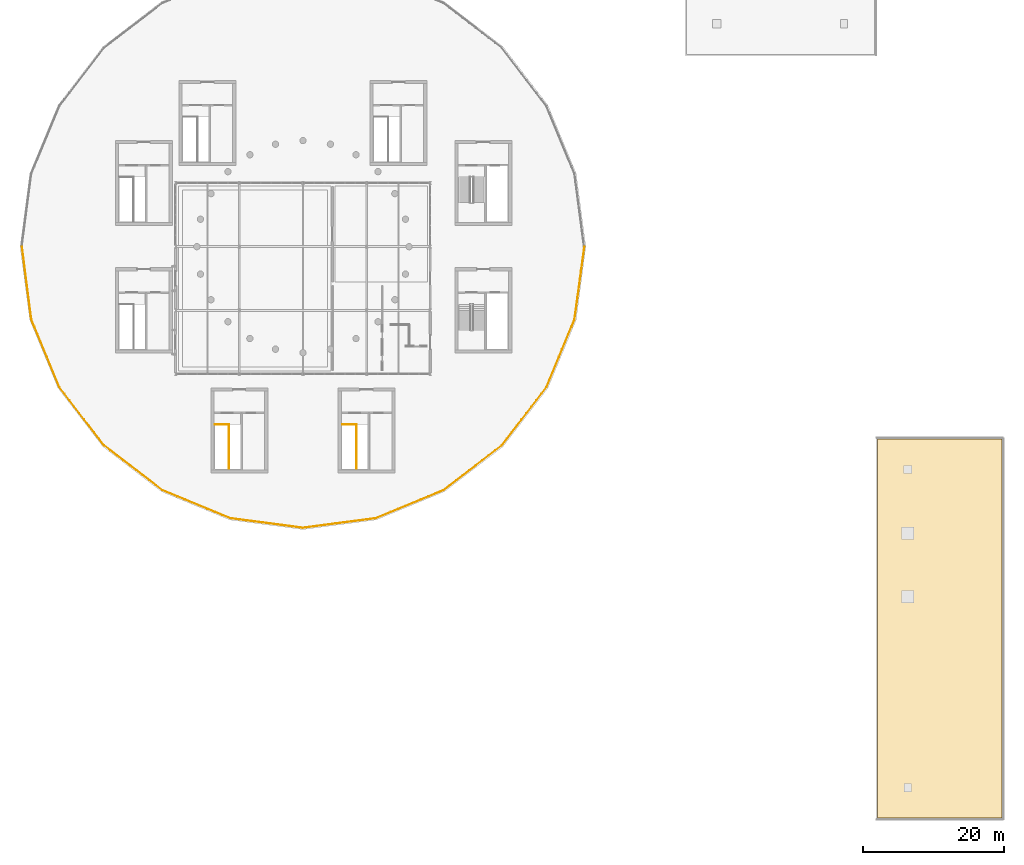
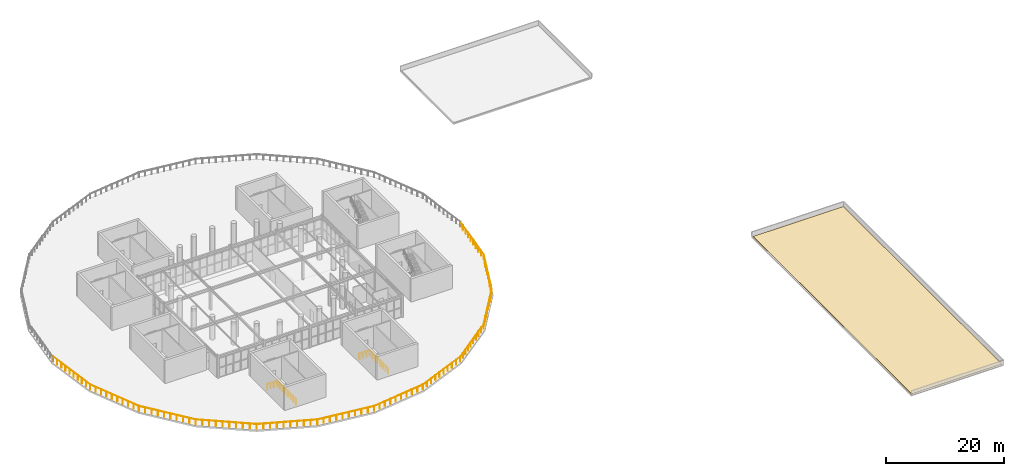
# One storey, part 26 of 29: 3 railings, 1 covering.
"""IFC4 building model written with IfcOpenShell, lengths in metres."""

from ifc_helpers import new_model, si_unit, direction, frame, origin, origin_2d, place, context, subcontext, project, spatial, polyline, circle, outline, extrude, material, layer, layer_set, type_object, element, save


model = new_model("IFC4")

# Units and contexts
model_context = context("Model", 3, precision=1e-05, world=origin(), true_north=direction((0.0, 1.0)))
body_context = subcontext(model_context, "Body", "Model", "MODEL_VIEW")
ifc_project = project(units=[si_unit("LENGTHUNIT", "METRE"), si_unit("AREAUNIT", "SQUARE_METRE"), si_unit("VOLUMEUNIT", "CUBIC_METRE"), si_unit("PLANEANGLEUNIT", "RADIAN"), si_unit("MASSUNIT", "GRAM", prefix="KILO")], contexts=[model_context])

# Site, building, storey
site_placement = place(None, origin())
site = spatial("IfcSite", under=ifc_project, at=site_placement, CompositionType="ELEMENT")
building_placement = place(site_placement, origin())
building = spatial("IfcBuilding", under=site, at=building_placement, Name="Dornveld Trade and Exhibition Forum", CompositionType="ELEMENT")
storey_placement = place(building_placement, frame((0.0, 0.0, 21.60009765625)))
storey = spatial("IfcBuildingStorey", under=building, at=storey_placement, Name="L04", CompositionType="ELEMENT", Elevation=21.60009765625)

# Covering
ifc_material_1 = material(Name="Standing-seam zinc roofing and rigid insulation", Category="metal")
ifc_layer = layer(ifc_material_1, 0.06005859375)
ifc_layer_set = layer_set([ifc_layer], Name="Standing-seam zinc roofing and rigid insulation")
covering_type = type_object("IfcCoveringType", Name="COV-ROOF-ZINC", PredefinedType="ROOFING", material=ifc_layer_set)
covering_placement = place(storey_placement, origin())
element("IfcCovering", 1, at=covering_placement, inside=storey, type_object=covering_type, Name="L04 standing-seam zinc roof finish 3", PredefinedType="ROOFING", context=body_context, shape_type="SweptSolid", body=[
    extrude(outline(polyline([(198.199951171875, 0.199951171875), (215.800048828125, 0.199951171875), (215.800048828125, 53.800048828125), (198.199951171875, 53.800048828125), (198.199951171875, 0.199951171875)])), origin(), (0.0, 0.0, 1.0), 0.059814453125),
])

# Railings
ifc_material_2 = material(Name="Dark-bronze steel and laminated glass balustrade", Category="steel")
railing_type_1 = type_object("IfcRailingType", Name="RL-BALUST-CONC", PredefinedType="BALUSTRADE", material=ifc_material_2)
railing_1_placement = place(storey_placement, frame((77.2900390625, 81.0, 0.0)))
element("IfcRailing", 2, at=railing_1_placement, inside=storey, type_object=railing_type_1, Name="L04 protective edge guard 2", PredefinedType="BALUSTRADE", context=body_context, shape_type="SweptSolid", body=[
    extrude(circle(Radius=0.02490234375, at=origin_2d()), frame((0.0, 0.0, 1.09521484375), z_axis=(0.126734388538, -0.991936688888, 0.0), x_axis=(0.991936688888, 0.126734388538, 0.0)), (0.0, 0.0, 1.0), 10.371826171875),
    extrude(circle(Radius=0.02490234375, at=origin_2d()), frame((1.314453125, -10.2880859375, 1.09521484375), z_axis=(0.382676641254, -0.923882345452, 0.0), x_axis=(0.923882345452, 0.382676641254, 0.0)), (0.0, 0.0, 1.0), 10.376708984375),
    extrude(circle(Radius=0.02490234375, at=origin_2d()), frame((5.285400390625, -19.875, 1.09521484375), z_axis=(0.608772297796, -0.793345000259, 0.0), x_axis=(0.793345000259, 0.608772297796, 0.0)), (0.0, 0.0, 1.0), 10.376953125),
    extrude(circle(Radius=0.02490234375, at=origin_2d()), frame((11.6025390625, -28.107421875, 1.09521484375), z_axis=(0.793345000259, -0.608772297796, 0.0), x_axis=(0.608772297796, 0.793345000259, 0.0)), (0.0, 0.0, 1.0), 10.376953125),
    extrude(circle(Radius=0.02490234375, at=origin_2d()), frame((19.8349609375, -34.424560546875, 1.09521484375), z_axis=(0.923882345452, -0.382676641254, 0.0), x_axis=(0.382676641254, 0.923882345452, 0.0)), (0.0, 0.0, 1.0), 10.376708984375),
    extrude(circle(Radius=0.02490234375, at=origin_2d()), frame((29.421875, -38.3955078125, 1.09521484375), z_axis=(0.991444362797, -0.130529979231, 0.0), x_axis=(0.130529979231, 0.991444362797, 0.0)), (0.0, 0.0, 1.0), 10.376953125),
    extrude(circle(Radius=0.02490234375, at=origin_2d()), frame((39.7099609375, -39.75, 1.09521484375), z_axis=(0.991444362797, 0.130529979231, 0.0), x_axis=(-0.130529979231, 0.991444362797, 0.0)), (0.0, 0.0, 1.0), 10.376953125),
    extrude(circle(Radius=0.02490234375, at=origin_2d()), frame((49.998046875, -38.3955078125, 1.09521484375), z_axis=(0.923882345452, 0.382676641254, 0.0), x_axis=(-0.382676641254, 0.923882345452, 0.0)), (0.0, 0.0, 1.0), 10.376708984375),
    extrude(circle(Radius=0.02490234375, at=origin_2d()), frame((59.5849609375, -34.424560546875, 1.09521484375), z_axis=(0.793345000259, 0.608772297796, 0.0), x_axis=(-0.608772297796, 0.793345000259, 0.0)), (0.0, 0.0, 1.0), 10.376953125),
    extrude(circle(Radius=0.02490234375, at=origin_2d()), frame((67.8173828125, -28.107421875, 1.09521484375), z_axis=(0.608772297796, 0.793345000259, 0.0), x_axis=(-0.793345000259, 0.608772297796, 0.0)), (0.0, 0.0, 1.0), 10.376953125),
    extrude(circle(Radius=0.02490234375, at=origin_2d()), frame((74.134521484375, -19.875, 1.09521484375), z_axis=(0.382676641254, 0.923882345452, 0.0), x_axis=(-0.923882345452, 0.382676641254, 0.0)), (0.0, 0.0, 1.0), 10.376708984375),
    extrude(circle(Radius=0.02490234375, at=origin_2d()), frame((78.10546875, -10.2880859375, 1.09521484375), z_axis=(0.134319839381, 0.990938030731, 0.0), x_axis=(-0.990938030731, 0.134319839381, 0.0)), (0.0, 0.0, 1.0), 10.382080078125),
    extrude(circle(Radius=0.02099609375, at=origin_2d()), origin(), (0.0, 0.0, 1.0), 1.070068359375),
    extrude(circle(Radius=0.02099609375, at=origin_2d()), frame((0.14599609375, -1.14306640625, 0.0)), (0.0, 0.0, 1.0), 1.070068359375),
    extrude(circle(Radius=0.02099609375, at=origin_2d()), frame((0.2919921875, -2.2861328125, 0.0)), (0.0, 0.0, 1.0), 1.070068359375),
    extrude(circle(Radius=0.02099609375, at=origin_2d()), frame((0.438232421875, -3.429443359375, 0.0)), (0.0, 0.0, 1.0), 1.070068359375),
    extrude(circle(Radius=0.02099609375, at=origin_2d()), frame((0.584228515625, -4.572509765625, 0.0)), (0.0, 0.0, 1.0), 1.070068359375),
    extrude(circle(Radius=0.02099609375, at=origin_2d()), frame((0.730224609375, -5.715576171875, 0.0)), (0.0, 0.0, 1.0), 1.070068359375),
    extrude(circle(Radius=0.02099609375, at=origin_2d()), frame((0.876220703125, -6.858642578125, 0.0)), (0.0, 0.0, 1.0), 1.070068359375),
    extrude(circle(Radius=0.02099609375, at=origin_2d()), frame((1.0224609375, -8.001953125, 0.0)), (0.0, 0.0, 1.0), 1.070068359375),
    extrude(circle(Radius=0.02099609375, at=origin_2d()), frame((1.16845703125, -9.14501953125, 0.0)), (0.0, 0.0, 1.0), 1.070068359375),
    extrude(circle(Radius=0.02099609375, at=origin_2d()), frame((1.314453125, -10.2880859375, 0.0)), (0.0, 0.0, 1.0), 1.070068359375),
    extrude(circle(Radius=0.02099609375, at=origin_2d()), frame((1.755615234375, -11.353271484375, 0.0)), (0.0, 0.0, 1.0), 1.070068359375),
    extrude(circle(Radius=0.02099609375, at=origin_2d()), frame((2.19677734375, -12.41845703125, 0.0)), (0.0, 0.0, 1.0), 1.070068359375),
    extrude(circle(Radius=0.02099609375, at=origin_2d()), frame((2.63818359375, -13.483642578125, 0.0)), (0.0, 0.0, 1.0), 1.070068359375),
    extrude(circle(Radius=0.02099609375, at=origin_2d()), frame((3.079345703125, -14.548828125, 0.0)), (0.0, 0.0, 1.0), 1.070068359375),
    extrude(circle(Radius=0.02099609375, at=origin_2d()), frame((3.5205078125, -15.6142578125, 0.0)), (0.0, 0.0, 1.0), 1.070068359375),
    extrude(circle(Radius=0.02099609375, at=origin_2d()), frame((3.961669921875, -16.679443359375, 0.0)), (0.0, 0.0, 1.0), 1.070068359375),
    extrude(circle(Radius=0.02099609375, at=origin_2d()), frame((4.403076171875, -17.74462890625, 0.0)), (0.0, 0.0, 1.0), 1.070068359375),
    extrude(circle(Radius=0.02099609375, at=origin_2d()), frame((4.84423828125, -18.809814453125, 0.0)), (0.0, 0.0, 1.0), 1.070068359375),
    extrude(circle(Radius=0.02099609375, at=origin_2d()), frame((5.285400390625, -19.875, 0.0)), (0.0, 0.0, 1.0), 1.070068359375),
    extrude(circle(Radius=0.02099609375, at=origin_2d()), frame((5.9873046875, -20.789794921875, 0.0)), (0.0, 0.0, 1.0), 1.070068359375),
    extrude(circle(Radius=0.02099609375, at=origin_2d()), frame((6.689208984375, -21.704345703125, 0.0)), (0.0, 0.0, 1.0), 1.070068359375),
    extrude(circle(Radius=0.02099609375, at=origin_2d()), frame((7.39111328125, -22.619140625, 0.0)), (0.0, 0.0, 1.0), 1.070068359375),
    extrude(circle(Radius=0.02099609375, at=origin_2d()), frame((8.093017578125, -23.533935546875, 0.0)), (0.0, 0.0, 1.0), 1.070068359375),
    extrude(circle(Radius=0.02099609375, at=origin_2d()), frame((8.794921875, -24.448486328125, 0.0)), (0.0, 0.0, 1.0), 1.070068359375),
    extrude(circle(Radius=0.02099609375, at=origin_2d()), frame((9.496826171875, -25.36328125, 0.0)), (0.0, 0.0, 1.0), 1.070068359375),
    extrude(circle(Radius=0.02099609375, at=origin_2d()), frame((10.19873046875, -26.278076171875, 0.0)), (0.0, 0.0, 1.0), 1.070068359375),
    extrude(circle(Radius=0.02099609375, at=origin_2d()), frame((10.900634765625, -27.192626953125, 0.0)), (0.0, 0.0, 1.0), 1.070068359375),
    extrude(circle(Radius=0.02099609375, at=origin_2d()), frame((11.6025390625, -28.107421875, 0.0)), (0.0, 0.0, 1.0), 1.070068359375),
    extrude(circle(Radius=0.02099609375, at=origin_2d()), frame((12.517333984375, -28.809326171875, 0.0)), (0.0, 0.0, 1.0), 1.070068359375),
    extrude(circle(Radius=0.02099609375, at=origin_2d()), frame((13.431884765625, -29.51123046875, 0.0)), (0.0, 0.0, 1.0), 1.070068359375),
    extrude(circle(Radius=0.02099609375, at=origin_2d()), frame((14.3466796875, -30.213134765625, 0.0)), (0.0, 0.0, 1.0), 1.070068359375),
    extrude(circle(Radius=0.02099609375, at=origin_2d()), frame((15.261474609375, -30.9150390625, 0.0)), (0.0, 0.0, 1.0), 1.070068359375),
    extrude(circle(Radius=0.02099609375, at=origin_2d()), frame((16.176025390625, -31.616943359375, 0.0)), (0.0, 0.0, 1.0), 1.070068359375),
    extrude(circle(Radius=0.02099609375, at=origin_2d()), frame((17.0908203125, -32.31884765625, 0.0)), (0.0, 0.0, 1.0), 1.070068359375),
    extrude(circle(Radius=0.02099609375, at=origin_2d()), frame((18.005615234375, -33.020751953125, 0.0)), (0.0, 0.0, 1.0), 1.070068359375),
    extrude(circle(Radius=0.02099609375, at=origin_2d()), frame((18.920166015625, -33.72265625, 0.0)), (0.0, 0.0, 1.0), 1.070068359375),
    extrude(circle(Radius=0.02099609375, at=origin_2d()), frame((19.8349609375, -34.424560546875, 0.0)), (0.0, 0.0, 1.0), 1.070068359375),
    extrude(circle(Radius=0.02099609375, at=origin_2d()), frame((20.900146484375, -34.86572265625, 0.0)), (0.0, 0.0, 1.0), 1.070068359375),
    extrude(circle(Radius=0.02099609375, at=origin_2d()), frame((21.96533203125, -35.306884765625, 0.0)), (0.0, 0.0, 1.0), 1.070068359375),
    extrude(circle(Radius=0.02099609375, at=origin_2d()), frame((23.030517578125, -35.748291015625, 0.0)), (0.0, 0.0, 1.0), 1.070068359375),
    extrude(circle(Radius=0.02099609375, at=origin_2d()), frame((24.095703125, -36.189453125, 0.0)), (0.0, 0.0, 1.0), 1.070068359375),
    extrude(circle(Radius=0.02099609375, at=origin_2d()), frame((25.1611328125, -36.630615234375, 0.0)), (0.0, 0.0, 1.0), 1.070068359375),
    extrude(circle(Radius=0.02099609375, at=origin_2d()), frame((26.226318359375, -37.07177734375, 0.0)), (0.0, 0.0, 1.0), 1.070068359375),
    extrude(circle(Radius=0.02099609375, at=origin_2d()), frame((27.29150390625, -37.51318359375, 0.0)), (0.0, 0.0, 1.0), 1.070068359375),
    extrude(circle(Radius=0.02099609375, at=origin_2d()), frame((28.356689453125, -37.954345703125, 0.0)), (0.0, 0.0, 1.0), 1.070068359375),
    extrude(circle(Radius=0.02099609375, at=origin_2d()), frame((29.421875, -38.3955078125, 0.0)), (0.0, 0.0, 1.0), 1.070068359375),
    extrude(circle(Radius=0.02099609375, at=origin_2d()), frame((30.56494140625, -38.5458984375, 0.0)), (0.0, 0.0, 1.0), 1.070068359375),
    extrude(circle(Radius=0.02099609375, at=origin_2d()), frame((31.7080078125, -38.696533203125, 0.0)), (0.0, 0.0, 1.0), 1.070068359375),
    extrude(circle(Radius=0.02099609375, at=origin_2d()), frame((32.851318359375, -38.846923828125, 0.0)), (0.0, 0.0, 1.0), 1.070068359375),
    extrude(circle(Radius=0.02099609375, at=origin_2d()), frame((33.994384765625, -38.99755859375, 0.0)), (0.0, 0.0, 1.0), 1.070068359375),
    extrude(circle(Radius=0.02099609375, at=origin_2d()), frame((35.137451171875, -39.14794921875, 0.0)), (0.0, 0.0, 1.0), 1.070068359375),
    extrude(circle(Radius=0.02099609375, at=origin_2d()), frame((36.280517578125, -39.298583984375, 0.0)), (0.0, 0.0, 1.0), 1.070068359375),
    extrude(circle(Radius=0.02099609375, at=origin_2d()), frame((37.423828125, -39.448974609375, 0.0)), (0.0, 0.0, 1.0), 1.070068359375),
    extrude(circle(Radius=0.02099609375, at=origin_2d()), frame((38.56689453125, -39.599609375, 0.0)), (0.0, 0.0, 1.0), 1.070068359375),
    extrude(circle(Radius=0.02099609375, at=origin_2d()), frame((39.7099609375, -39.75, 0.0)), (0.0, 0.0, 1.0), 1.070068359375),
    extrude(circle(Radius=0.02099609375, at=origin_2d()), frame((40.85302734375, -39.599609375, 0.0)), (0.0, 0.0, 1.0), 1.070068359375),
    extrude(circle(Radius=0.02099609375, at=origin_2d()), frame((41.99609375, -39.448974609375, 0.0)), (0.0, 0.0, 1.0), 1.070068359375),
    extrude(circle(Radius=0.02099609375, at=origin_2d()), frame((43.139404296875, -39.298583984375, 0.0)), (0.0, 0.0, 1.0), 1.070068359375),
    extrude(circle(Radius=0.02099609375, at=origin_2d()), frame((44.282470703125, -39.14794921875, 0.0)), (0.0, 0.0, 1.0), 1.070068359375),
    extrude(circle(Radius=0.02099609375, at=origin_2d()), frame((45.425537109375, -38.99755859375, 0.0)), (0.0, 0.0, 1.0), 1.070068359375),
    extrude(circle(Radius=0.02099609375, at=origin_2d()), frame((46.568603515625, -38.846923828125, 0.0)), (0.0, 0.0, 1.0), 1.070068359375),
    extrude(circle(Radius=0.02099609375, at=origin_2d()), frame((47.7119140625, -38.696533203125, 0.0)), (0.0, 0.0, 1.0), 1.070068359375),
    extrude(circle(Radius=0.02099609375, at=origin_2d()), frame((48.85498046875, -38.5458984375, 0.0)), (0.0, 0.0, 1.0), 1.070068359375),
    extrude(circle(Radius=0.02099609375, at=origin_2d()), frame((49.998046875, -38.3955078125, 0.0)), (0.0, 0.0, 1.0), 1.070068359375),
    extrude(circle(Radius=0.02099609375, at=origin_2d()), frame((51.063232421875, -37.954345703125, 0.0)), (0.0, 0.0, 1.0), 1.070068359375),
    extrude(circle(Radius=0.02099609375, at=origin_2d()), frame((52.12841796875, -37.51318359375, 0.0)), (0.0, 0.0, 1.0), 1.070068359375),
    extrude(circle(Radius=0.02099609375, at=origin_2d()), frame((53.193603515625, -37.07177734375, 0.0)), (0.0, 0.0, 1.0), 1.070068359375),
    extrude(circle(Radius=0.02099609375, at=origin_2d()), frame((54.2587890625, -36.630615234375, 0.0)), (0.0, 0.0, 1.0), 1.070068359375),
    extrude(circle(Radius=0.02099609375, at=origin_2d()), frame((55.32421875, -36.189453125, 0.0)), (0.0, 0.0, 1.0), 1.070068359375),
    extrude(circle(Radius=0.02099609375, at=origin_2d()), frame((56.389404296875, -35.748291015625, 0.0)), (0.0, 0.0, 1.0), 1.070068359375),
    extrude(circle(Radius=0.02099609375, at=origin_2d()), frame((57.45458984375, -35.306884765625, 0.0)), (0.0, 0.0, 1.0), 1.070068359375),
    extrude(circle(Radius=0.02099609375, at=origin_2d()), frame((58.519775390625, -34.86572265625, 0.0)), (0.0, 0.0, 1.0), 1.070068359375),
    extrude(circle(Radius=0.02099609375, at=origin_2d()), frame((59.5849609375, -34.424560546875, 0.0)), (0.0, 0.0, 1.0), 1.070068359375),
    extrude(circle(Radius=0.02099609375, at=origin_2d()), frame((60.499755859375, -33.72265625, 0.0)), (0.0, 0.0, 1.0), 1.070068359375),
    extrude(circle(Radius=0.02099609375, at=origin_2d()), frame((61.414306640625, -33.020751953125, 0.0)), (0.0, 0.0, 1.0), 1.070068359375),
    extrude(circle(Radius=0.02099609375, at=origin_2d()), frame((62.3291015625, -32.31884765625, 0.0)), (0.0, 0.0, 1.0), 1.070068359375),
    extrude(circle(Radius=0.02099609375, at=origin_2d()), frame((63.243896484375, -31.616943359375, 0.0)), (0.0, 0.0, 1.0), 1.070068359375),
    extrude(circle(Radius=0.02099609375, at=origin_2d()), frame((64.158447265625, -30.9150390625, 0.0)), (0.0, 0.0, 1.0), 1.070068359375),
    extrude(circle(Radius=0.02099609375, at=origin_2d()), frame((65.0732421875, -30.213134765625, 0.0)), (0.0, 0.0, 1.0), 1.070068359375),
    extrude(circle(Radius=0.02099609375, at=origin_2d()), frame((65.988037109375, -29.51123046875, 0.0)), (0.0, 0.0, 1.0), 1.070068359375),
    extrude(circle(Radius=0.02099609375, at=origin_2d()), frame((66.902587890625, -28.809326171875, 0.0)), (0.0, 0.0, 1.0), 1.070068359375),
    extrude(circle(Radius=0.02099609375, at=origin_2d()), frame((67.8173828125, -28.107421875, 0.0)), (0.0, 0.0, 1.0), 1.070068359375),
    extrude(circle(Radius=0.02099609375, at=origin_2d()), frame((68.519287109375, -27.192626953125, 0.0)), (0.0, 0.0, 1.0), 1.070068359375),
    extrude(circle(Radius=0.02099609375, at=origin_2d()), frame((69.22119140625, -26.278076171875, 0.0)), (0.0, 0.0, 1.0), 1.070068359375),
    extrude(circle(Radius=0.02099609375, at=origin_2d()), frame((69.923095703125, -25.36328125, 0.0)), (0.0, 0.0, 1.0), 1.070068359375),
    extrude(circle(Radius=0.02099609375, at=origin_2d()), frame((70.625, -24.448486328125, 0.0)), (0.0, 0.0, 1.0), 1.070068359375),
    extrude(circle(Radius=0.02099609375, at=origin_2d()), frame((71.326904296875, -23.533935546875, 0.0)), (0.0, 0.0, 1.0), 1.070068359375),
    extrude(circle(Radius=0.02099609375, at=origin_2d()), frame((72.02880859375, -22.619140625, 0.0)), (0.0, 0.0, 1.0), 1.070068359375),
    extrude(circle(Radius=0.02099609375, at=origin_2d()), frame((72.730712890625, -21.704345703125, 0.0)), (0.0, 0.0, 1.0), 1.070068359375),
    extrude(circle(Radius=0.02099609375, at=origin_2d()), frame((73.4326171875, -20.789794921875, 0.0)), (0.0, 0.0, 1.0), 1.070068359375),
    extrude(circle(Radius=0.02099609375, at=origin_2d()), frame((74.134521484375, -19.875, 0.0)), (0.0, 0.0, 1.0), 1.070068359375),
    extrude(circle(Radius=0.02099609375, at=origin_2d()), frame((74.57568359375, -18.809814453125, 0.0)), (0.0, 0.0, 1.0), 1.070068359375),
    extrude(circle(Radius=0.02099609375, at=origin_2d()), frame((75.016845703125, -17.74462890625, 0.0)), (0.0, 0.0, 1.0), 1.070068359375),
    extrude(circle(Radius=0.02099609375, at=origin_2d()), frame((75.458251953125, -16.679443359375, 0.0)), (0.0, 0.0, 1.0), 1.070068359375),
    extrude(circle(Radius=0.02099609375, at=origin_2d()), frame((75.8994140625, -15.6142578125, 0.0)), (0.0, 0.0, 1.0), 1.070068359375),
    extrude(circle(Radius=0.02099609375, at=origin_2d()), frame((76.340576171875, -14.548828125, 0.0)), (0.0, 0.0, 1.0), 1.070068359375),
    extrude(circle(Radius=0.02099609375, at=origin_2d()), frame((76.78173828125, -13.483642578125, 0.0)), (0.0, 0.0, 1.0), 1.070068359375),
    extrude(circle(Radius=0.02099609375, at=origin_2d()), frame((77.22314453125, -12.41845703125, 0.0)), (0.0, 0.0, 1.0), 1.070068359375),
    extrude(circle(Radius=0.02099609375, at=origin_2d()), frame((77.664306640625, -11.353271484375, 0.0)), (0.0, 0.0, 1.0), 1.070068359375),
    extrude(circle(Radius=0.02099609375, at=origin_2d()), frame((78.10546875, -10.2880859375, 0.0)), (0.0, 0.0, 1.0), 1.070068359375),
    extrude(circle(Radius=0.02099609375, at=origin_2d()), frame((78.260498046875, -9.14501953125, 0.0)), (0.0, 0.0, 1.0), 1.070068359375),
    extrude(circle(Radius=0.02099609375, at=origin_2d()), frame((78.415283203125, -8.001953125, 0.0)), (0.0, 0.0, 1.0), 1.070068359375),
    extrude(circle(Radius=0.02099609375, at=origin_2d()), frame((78.5703125, -6.858642578125, 0.0)), (0.0, 0.0, 1.0), 1.070068359375),
    extrude(circle(Radius=0.02099609375, at=origin_2d()), frame((78.725341796875, -5.715576171875, 0.0)), (0.0, 0.0, 1.0), 1.070068359375),
    extrude(circle(Radius=0.02099609375, at=origin_2d()), frame((78.880126953125, -4.572509765625, 0.0)), (0.0, 0.0, 1.0), 1.070068359375),
    extrude(circle(Radius=0.02099609375, at=origin_2d()), frame((79.03515625, -3.429443359375, 0.0)), (0.0, 0.0, 1.0), 1.070068359375),
    extrude(circle(Radius=0.02099609375, at=origin_2d()), frame((79.190185546875, -2.2861328125, 0.0)), (0.0, 0.0, 1.0), 1.070068359375),
    extrude(circle(Radius=0.02099609375, at=origin_2d()), frame((79.344970703125, -1.14306640625, 0.0)), (0.0, 0.0, 1.0), 1.070068359375),
    extrude(circle(Radius=0.02099609375, at=origin_2d()), frame((79.5, 0.0, 0.0)), (0.0, 0.0, 1.0), 1.070068359375),
])
ifc_material_3 = material(Name="Painted steel S355J2 stair-well guard", Category="steel")
railing_type_2 = type_object("IfcRailingType", Name="RL-WELL-110", PredefinedType="GUARDRAIL", material=ifc_material_3)
railing_2_placement = place(storey_placement, frame((104.580078125, 55.8701171875, 0.0)))
element("IfcRailing", 3, at=railing_2_placement, inside=storey, type_object=railing_type_2, Name="CORE-06 L04 stair-well top guard", PredefinedType="GUARDRAIL", context=body_context, shape_type="SweptSolid", body=[
    extrude(circle(Radius=0.02392578125, at=origin_2d()), frame((0.0, 0.0, 1.076171875), z_axis=(1.0, 0.0, 0.0), x_axis=(0.0, 1.0, 0.0)), (0.0, 0.0, 1.0), 1.969970703125),
    extrude(circle(Radius=0.02392578125, at=origin_2d()), frame((1.969970703125, 0.0, 1.076171875), z_axis=(0.0, -1.0, 0.0), x_axis=(1.0, 0.0, 0.0)), (0.0, 0.0, 1.0), 6.25),
    extrude(circle(Radius=0.02001953125, at=origin_2d()), origin(), (0.0, 0.0, 1.0), 1.052001953125),
    extrude(circle(Radius=0.02001953125, at=origin_2d()), frame((0.65673828125, 0.0, 0.0)), (0.0, 0.0, 1.0), 1.052001953125),
    extrude(circle(Radius=0.02001953125, at=origin_2d()), frame((1.313232421875, 0.0, 0.0)), (0.0, 0.0, 1.0), 1.052001953125),
    extrude(circle(Radius=0.02001953125, at=origin_2d()), frame((1.969970703125, 0.0, 0.0)), (0.0, 0.0, 1.0), 1.052001953125),
    extrude(circle(Radius=0.02001953125, at=origin_2d()), frame((1.969970703125, -0.892822265625, 0.0)), (0.0, 0.0, 1.0), 1.052001953125),
    extrude(circle(Radius=0.02001953125, at=origin_2d()), frame((1.969970703125, -1.78564453125, 0.0)), (0.0, 0.0, 1.0), 1.052001953125),
    extrude(circle(Radius=0.02001953125, at=origin_2d()), frame((1.969970703125, -2.678466796875, 0.0)), (0.0, 0.0, 1.0), 1.052001953125),
    extrude(circle(Radius=0.02001953125, at=origin_2d()), frame((1.969970703125, -3.571533203125, 0.0)), (0.0, 0.0, 1.0), 1.052001953125),
    extrude(circle(Radius=0.02001953125, at=origin_2d()), frame((1.969970703125, -4.46435546875, 0.0)), (0.0, 0.0, 1.0), 1.052001953125),
    extrude(circle(Radius=0.02001953125, at=origin_2d()), frame((1.969970703125, -5.357177734375, 0.0)), (0.0, 0.0, 1.0), 1.052001953125),
    extrude(circle(Radius=0.02001953125, at=origin_2d()), frame((1.969970703125, -6.25, 0.0)), (0.0, 0.0, 1.0), 1.052001953125),
])
railing_3_placement = place(storey_placement, frame((122.580078125, 55.8701171875, 0.0)))
element("IfcRailing", 4, at=railing_3_placement, inside=storey, type_object=railing_type_2, Name="CORE-07 L04 stair-well top guard", PredefinedType="GUARDRAIL", context=body_context, shape_type="SweptSolid", body=[
    extrude(circle(Radius=0.02392578125, at=origin_2d()), frame((0.0, 0.0, 1.076171875), z_axis=(1.0, 0.0, 0.0), x_axis=(0.0, 1.0, 0.0)), (0.0, 0.0, 1.0), 2.0048828125),
    extrude(circle(Radius=0.02392578125, at=origin_2d()), frame((2.0048828125, 0.0, 1.076171875), z_axis=(0.0, -1.0, 0.0), x_axis=(1.0, 0.0, 0.0)), (0.0, 0.0, 1.0), 6.25),
    extrude(circle(Radius=0.02001953125, at=origin_2d()), origin(), (0.0, 0.0, 1.0), 1.052001953125),
    extrude(circle(Radius=0.02001953125, at=origin_2d()), frame((0.668212890625, 0.0, 0.0)), (0.0, 0.0, 1.0), 1.052001953125),
    extrude(circle(Radius=0.02001953125, at=origin_2d()), frame((1.336669921875, 0.0, 0.0)), (0.0, 0.0, 1.0), 1.052001953125),
    extrude(circle(Radius=0.02001953125, at=origin_2d()), frame((2.0048828125, 0.0, 0.0)), (0.0, 0.0, 1.0), 1.052001953125),
    extrude(circle(Radius=0.02001953125, at=origin_2d()), frame((2.0048828125, -0.892822265625, 0.0)), (0.0, 0.0, 1.0), 1.052001953125),
    extrude(circle(Radius=0.02001953125, at=origin_2d()), frame((2.0048828125, -1.78564453125, 0.0)), (0.0, 0.0, 1.0), 1.052001953125),
    extrude(circle(Radius=0.02001953125, at=origin_2d()), frame((2.0048828125, -2.678466796875, 0.0)), (0.0, 0.0, 1.0), 1.052001953125),
    extrude(circle(Radius=0.02001953125, at=origin_2d()), frame((2.0048828125, -3.571533203125, 0.0)), (0.0, 0.0, 1.0), 1.052001953125),
    extrude(circle(Radius=0.02001953125, at=origin_2d()), frame((2.0048828125, -4.46435546875, 0.0)), (0.0, 0.0, 1.0), 1.052001953125),
    extrude(circle(Radius=0.02001953125, at=origin_2d()), frame((2.0048828125, -5.357177734375, 0.0)), (0.0, 0.0, 1.0), 1.052001953125),
    extrude(circle(Radius=0.02001953125, at=origin_2d()), frame((2.0048828125, -6.25, 0.0)), (0.0, 0.0, 1.0), 1.052001953125),
])

save(model, "model.ifc")
